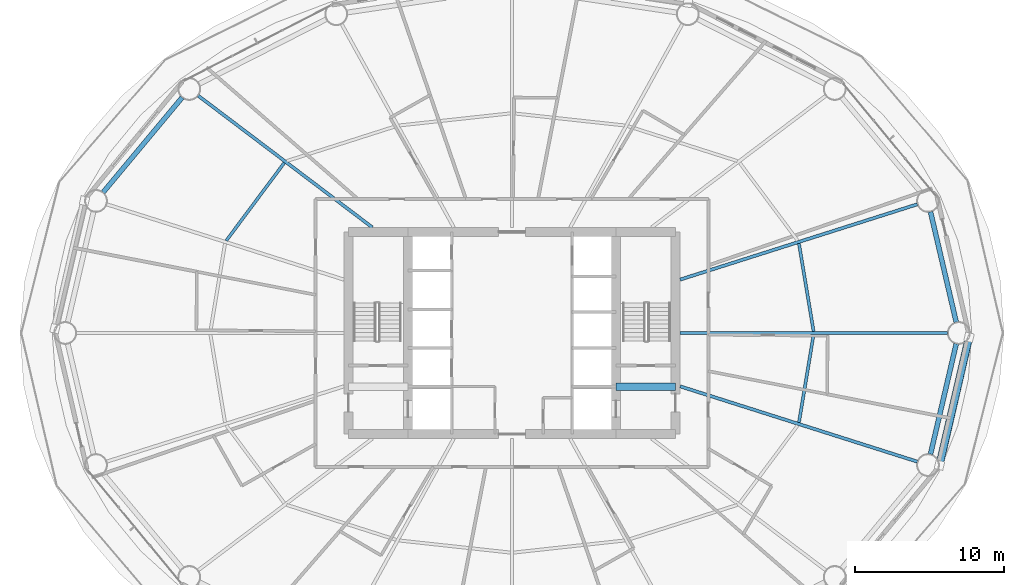
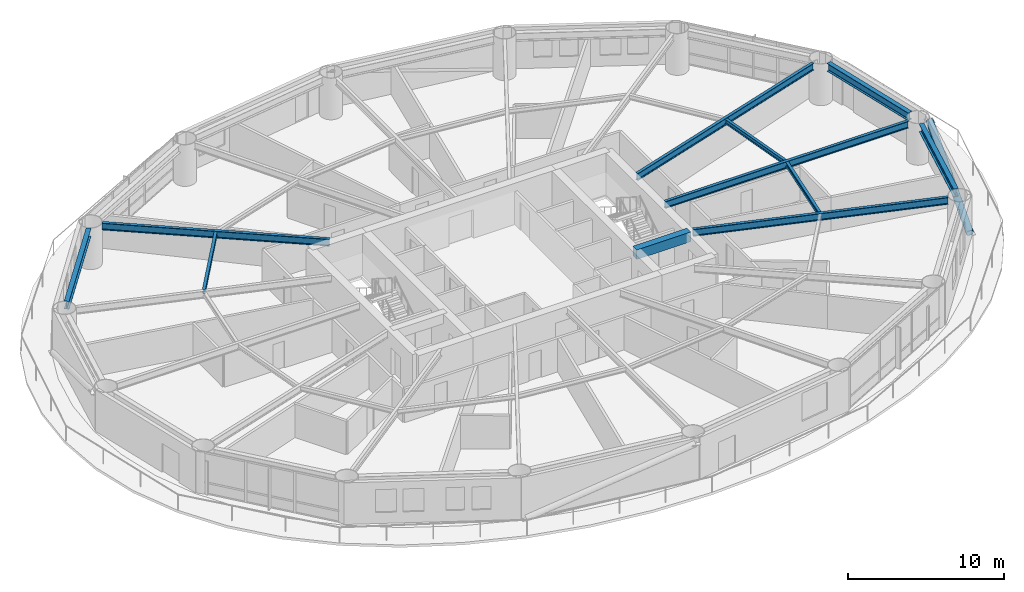
# One storey, part 8 of 27: 11 beams, 1 member.
"""IFC4 building model written with IfcOpenShell, lengths in metres."""

from ifc_helpers import new_model, si_unit, direction, frame, origin, origin_2d, place, context, subcontext, project, spatial, rectangle, hollow_circle, i_section, extrude, material, material_profile, profile_set, type_object, element, save


model = new_model("IFC4")

# Units and contexts
model_context = context("Model", 3, precision=1e-05, world=origin(), true_north=direction((0.0, 1.0)))
body_context = subcontext(model_context, "Body", "Model", "MODEL_VIEW")
ifc_project = project(units=[si_unit("LENGTHUNIT", "METRE"), si_unit("AREAUNIT", "SQUARE_METRE"), si_unit("VOLUMEUNIT", "CUBIC_METRE"), si_unit("PLANEANGLEUNIT", "RADIAN"), si_unit("MASSUNIT", "GRAM", prefix="KILO")], contexts=[model_context])

# Site, building, storey
site_placement = place(None, origin())
site = spatial("IfcSite", under=ifc_project, at=site_placement, CompositionType="ELEMENT")
building_placement = place(site_placement, origin())
building = spatial("IfcBuilding", under=site, at=building_placement, Name="Sarneth Arch Tower", CompositionType="ELEMENT")
storey_placement = place(building_placement, frame((0.0, 0.0, 75.0)))
storey = spatial("IfcBuildingStorey", under=building, at=storey_placement, Name="L18", CompositionType="ELEMENT", Elevation=75.0)

# Beams
ifc_material_1 = material(Name="Steel S355", Category="steel")
ifc_material_profile_1 = material_profile(ifc_material_1, i_section(OverallWidth=0.202880859375, OverallDepth=0.346923828125, WebThickness=0.0078125, FlangeThickness=0.013427734375, FilletRadius=0.014892578125, at=origin_2d()), Name="W360x64")
ifc_profile_set_1 = profile_set([ifc_material_profile_1], Name="Steel S355")
beam_type_1 = type_object("IfcBeamType", Name="BM-JOIST-360C", PredefinedType="JOIST", material=ifc_profile_set_1)
beam_1_placement = place(storey_placement, frame((68.27490234375, 42.10546875, 3.076416015625), z_axis=(-0.16394288124, 0.986469833138, 0.0), x_axis=(-0.986469833138, -0.16394288124, 0.0)))
element("IfcBeam", 1, at=beam_1_placement, inside=storey, type_object=beam_type_1, Name="L18 Secondary floor joist 01", PredefinedType="JOIST", context=body_context, shape_type="SweptSolid", body=[
    extrude(i_section(OverallWidth=0.202880859375, OverallDepth=0.346923828125, WebThickness=0.0078125, FlangeThickness=0.013427734375, FilletRadius=0.014892578125, at=origin_2d()), origin(), (0.0, 0.0, 1.0), 5.989501953125),
])
beam_2_placement = place(storey_placement, frame((32.691650390625, 53.4404296875, 3.076416015625), z_axis=(-0.597700490469, -0.801719479428, 0.0), x_axis=(0.801719479428, -0.597700490469, 0.0)))
element("IfcBeam", 2, at=beam_2_placement, inside=storey, type_object=beam_type_1, Name="L18 Secondary floor joist 07", PredefinedType="JOIST", context=body_context, shape_type="SweptSolid", body=[
    extrude(i_section(OverallWidth=0.202880859375, OverallDepth=0.346923828125, WebThickness=0.0078125, FlangeThickness=0.013427734375, FilletRadius=0.014892578125, at=origin_2d()), origin(), (0.0, 0.0, 1.0), 6.5302734375),
])
beam_3_placement = place(storey_placement, frame((67.29296875, 35.986083984375, 3.076416015625), z_axis=(0.16394288124, 0.986469833138, 0.0), x_axis=(-0.986469833138, 0.16394288124, 0.0)))
element("IfcBeam", 3, at=beam_3_placement, inside=storey, type_object=beam_type_1, Name="L18 Secondary floor joist 16", PredefinedType="JOIST", context=body_context, shape_type="SweptSolid", body=[
    extrude(i_section(OverallWidth=0.202880859375, OverallDepth=0.346923828125, WebThickness=0.0078125, FlangeThickness=0.013427734375, FilletRadius=0.014892578125, at=origin_2d()), origin(), (0.0, 0.0, 1.0), 5.989501953125),
])
ifc_material_2 = material(Name="Concrete C50/60", Category="concrete")
ifc_material_profile_2 = material_profile(ifc_material_2, rectangle(XDim=0.5, YDim=0.75, at=origin_2d()), Name="RC-500x750")
ifc_profile_set_2 = profile_set([ifc_material_profile_2], Name="Concrete C50/60")
beam_type_2 = type_object("IfcBeamType", Name="BM-LINTEL-RC", PredefinedType="LINTEL", material=ifc_profile_set_2)
beam_4_placement = place(storey_placement, frame((55.0, 38.39990234375, 2.875), z_axis=(1.0, 0.0, 0.0), x_axis=(0.0, 1.0, 0.0)))
element("IfcBeam", 4, at=beam_4_placement, inside=storey, type_object=beam_type_2, Name="L18 Core coupling lintel E", PredefinedType="LINTEL", context=body_context, shape_type="SweptSolid", body=[
    extrude(rectangle(XDim=0.5, YDim=0.75, at=origin_2d()), origin(), (0.0, 0.0, 1.0), 4.0),
])
ifc_material_3 = material(Name="Steel S355", Category="steel")
ifc_material_profile_3 = material_profile(ifc_material_3, i_section(OverallWidth=0.214111328125, OverallDepth=0.549072265625, WebThickness=0.0146484375, FlangeThickness=0.023681640625, FilletRadius=0.01806640625, at=origin_2d()), Name="W530x138")
ifc_profile_set_3 = profile_set([ifc_material_profile_3], Name="Steel S355")
beam_type_3 = type_object("IfcBeamType", Name="BM-RAD-530A", PredefinedType="BEAM", material=ifc_profile_set_3)
beam_5_placement = place(storey_placement, frame((59.300048828125, 42.0, 2.9755859375), z_axis=(1.0, 0.0, 0.0), x_axis=(0.0, 1.0, 0.0)))
element("IfcBeam", 5, at=beam_5_placement, inside=storey, type_object=beam_type_3, Name="L18 Radial floor girder 01", PredefinedType="BEAM", context=body_context, shape_type="SweptSolid", body=[
    extrude(i_section(OverallWidth=0.214111328125, OverallDepth=0.549072265625, WebThickness=0.0146484375, FlangeThickness=0.023681640625, FilletRadius=0.01806640625, at=origin_2d()), origin(), (0.0, 0.0, 1.0), 17.98486328125),
])
beam_6_placement = place(storey_placement, frame((59.300048828125, 45.58740234375, 2.9755859375), z_axis=(0.953119859464, 0.30259301627, 0.0), x_axis=(-0.30259301627, 0.953119859464, 0.0)))
element("IfcBeam", 6, at=beam_6_placement, inside=storey, type_object=beam_type_3, Name="L18 Radial floor girder 02", PredefinedType="BEAM", context=body_context, shape_type="SweptSolid", body=[
    extrude(i_section(OverallWidth=0.214111328125, OverallDepth=0.549072265625, WebThickness=0.0146484375, FlangeThickness=0.023681640625, FilletRadius=0.01806640625, at=origin_2d()), origin(), (0.0, 0.0, 1.0), 16.7353515625),
])
beam_7_placement = place(storey_placement, frame((38.609619140625, 49.10009765625, 2.9755859375), z_axis=(-0.79765464731, 0.603114469753, 0.0), x_axis=(-0.603114469753, -0.79765464731, 0.0)))
element("IfcBeam", 7, at=beam_7_placement, inside=storey, type_object=beam_type_3, Name="L18 Radial floor girder 07", PredefinedType="BEAM", context=body_context, shape_type="SweptSolid", body=[
    extrude(i_section(OverallWidth=0.214111328125, OverallDepth=0.549072265625, WebThickness=0.0146484375, FlangeThickness=0.023681640625, FilletRadius=0.01806640625, at=origin_2d()), origin(), (0.0, 0.0, 1.0), 14.677978515625),
])
beam_8_placement = place(storey_placement, frame((59.300048828125, 38.41259765625, 2.9755859375), z_axis=(0.953119859464, -0.30259301627, 0.0), x_axis=(0.30259301627, 0.953119859464, 0.0)))
element("IfcBeam", 8, at=beam_8_placement, inside=storey, type_object=beam_type_3, Name="L18 Radial floor girder 16", PredefinedType="BEAM", context=body_context, shape_type="SweptSolid", body=[
    extrude(i_section(OverallWidth=0.214111328125, OverallDepth=0.549072265625, WebThickness=0.0146484375, FlangeThickness=0.023681640625, FilletRadius=0.01806640625, at=origin_2d()), origin(), (0.0, 0.0, 1.0), 16.7353515625),
])
ifc_material_4 = material(Name="Steel S355", Category="steel")
ifc_material_profile_4 = material_profile(ifc_material_4, i_section(OverallWidth=0.326904296875, OverallDepth=0.6220703125, WebThickness=0.015380859375, FlangeThickness=0.0244140625, FilletRadius=0.01904296875, at=origin_2d()), Name="W610x195")
ifc_profile_set_4 = profile_set([ifc_material_profile_4], Name="Steel S355")
beam_type_4 = type_object("IfcBeamType", Name="BM-SPAN-610A", PredefinedType="SPANDREL", material=ifc_profile_set_4)
beam_9_placement = place(storey_placement, frame((77.864501953125, 42.73046875, 2.93896484375), z_axis=(-0.226982354826, 0.973898870827, 0.0), x_axis=(-0.973898870827, -0.226982354826, 0.0)))
element("IfcBeam", 9, at=beam_9_placement, inside=storey, type_object=beam_type_4, Name="L18 Perimeter spandrel beam 01", PredefinedType="SPANDREL", context=body_context, shape_type="SweptSolid", body=[
    extrude(i_section(OverallWidth=0.326904296875, OverallDepth=0.6220703125, WebThickness=0.015380859375, FlangeThickness=0.0244140625, FilletRadius=0.01904296875, at=origin_2d()), origin(), (0.0, 0.0, 1.0), 7.6162109375),
])
beam_10_placement = place(storey_placement, frame((25.8232421875, 57.82861328125, 2.93896484375), z_axis=(-0.639981736251, -0.768390120489, 0.0), x_axis=(0.768390120489, -0.639981736251, 0.0)))
element("IfcBeam", 10, at=beam_10_placement, inside=storey, type_object=beam_type_4, Name="L18 Perimeter spandrel beam 07", PredefinedType="SPANDREL", context=body_context, shape_type="SweptSolid", body=[
    extrude(i_section(OverallWidth=0.326904296875, OverallDepth=0.6220703125, WebThickness=0.015380859375, FlangeThickness=0.0244140625, FilletRadius=0.01904296875, at=origin_2d()), origin(), (0.0, 0.0, 1.0), 8.29541015625),
])
beam_11_placement = place(storey_placement, frame((76.1357421875, 33.85205078125, 2.93896484375), z_axis=(0.226982354826, 0.973898870827, 0.0), x_axis=(-0.973898870827, 0.226982354826, 0.0)))
element("IfcBeam", 11, at=beam_11_placement, inside=storey, type_object=beam_type_4, Name="L18 Perimeter spandrel beam 16", PredefinedType="SPANDREL", context=body_context, shape_type="SweptSolid", body=[
    extrude(i_section(OverallWidth=0.326904296875, OverallDepth=0.6220703125, WebThickness=0.015380859375, FlangeThickness=0.0244140625, FilletRadius=0.01904296875, at=origin_2d()), origin(), (0.0, 0.0, 1.0), 7.6162109375),
])

# Member
ifc_material_5 = material(Name="Steel S355", Category="steel")
ifc_material_profile_5 = material_profile(ifc_material_5, hollow_circle(Radius=0.25390625, WallThickness=0.01611328125, at=origin_2d()), Name="CHS508x16")
ifc_profile_set_5 = profile_set([ifc_material_profile_5], Name="Steel S355")
member_type = type_object("IfcMemberType", Name="MEM-DIAG-BR1", PredefinedType="BRACE", material=ifc_profile_set_5)
member_placement = place(storey_placement, frame((76.739013671875, 33.115478515625, 0.02001953125), z_axis=(0.214274082893, 0.926888160438, 0.308163845124), x_axis=(-0.974304339016, 0.225235554419, 0.0)))
element("IfcMember", 12, at=member_placement, inside=storey, type_object=member_type, Name="L18 Perimeter frame diagonal 16", PredefinedType="BRACE", context=body_context, shape_type="SweptSolid", body=[
    extrude(hollow_circle(Radius=0.25390625, WallThickness=0.01611328125, at=origin_2d()), origin(), (0.0, 0.0, 1.0), 9.27001953125),
])

save(model, "model.ifc")
